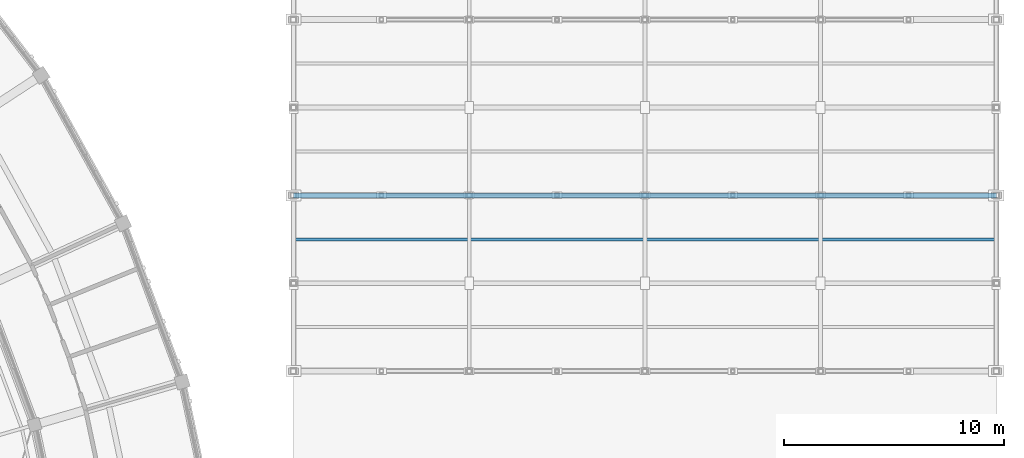
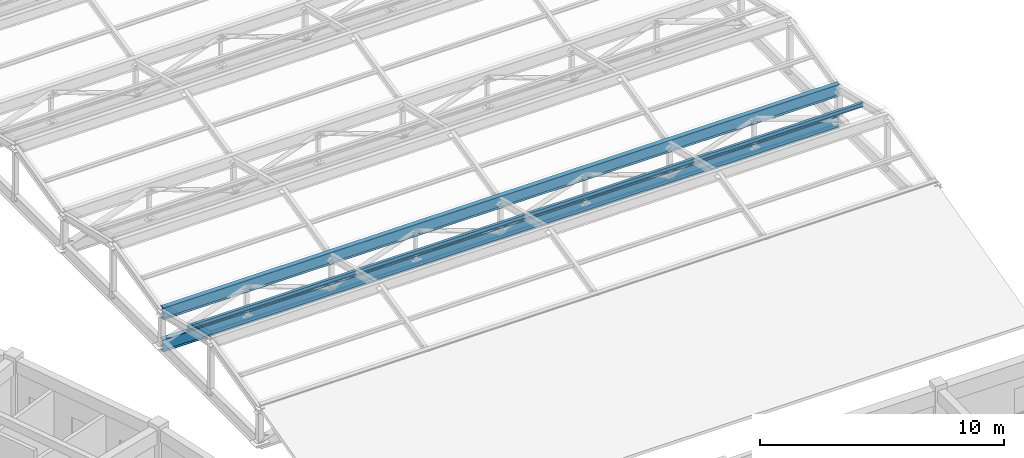
# One storey, part 43 of 112: 3 members.
"""IFC4 building model written with IfcOpenShell, lengths in metres."""

from ifc_helpers import new_model, si_unit, direction, frame, origin, origin_2d, place, context, subcontext, project, spatial, i_section, extrude, material, material_profile, profile_set, type_object, element, save


model = new_model("IFC4")

# Units and contexts
model_context = context("Model", 3, precision=1e-05, world=origin(), true_north=direction((0.0, 1.0)))
body_context = subcontext(model_context, "Body", "Model", "MODEL_VIEW")
ifc_project = project(units=[si_unit("LENGTHUNIT", "METRE"), si_unit("AREAUNIT", "SQUARE_METRE"), si_unit("VOLUMEUNIT", "CUBIC_METRE"), si_unit("PLANEANGLEUNIT", "RADIAN"), si_unit("MASSUNIT", "GRAM", prefix="KILO")], contexts=[model_context])

# Site, building, storey
site_placement = place(None, origin())
site = spatial("IfcSite", under=ifc_project, at=site_placement, CompositionType="ELEMENT")
building_placement = place(site_placement, origin())
building = spatial("IfcBuilding", under=site, at=building_placement, Name="Celadon Cloister-Ring School", CompositionType="ELEMENT")
storey_placement = place(building_placement, frame((0.0, 0.0, 8.5)))
storey = spatial("IfcBuildingStorey", under=building, at=storey_placement, Name="L02", CompositionType="ELEMENT", Elevation=8.5)

# Members
ifc_material_1 = material(Name="Structural steel S355JR", Category="steel")
ifc_material_profile_1 = material_profile(ifc_material_1, i_section(OverallWidth=0.22900390625, OverallDepth=0.612060546875, WebThickness=0.011962890625, FlangeThickness=0.01953125, at=origin_2d()), Name="W610X125")
ifc_profile_set_1 = profile_set([ifc_material_profile_1], Name="Structural steel S355JR")
member_type_1 = type_object("IfcMemberType", Name="MC-01", PredefinedType="CHORD", material=ifc_profile_set_1)
member_1_placement = place(storey_placement, frame((142.0, 82.0, 0.89990234375), z_axis=(1.0, 0.0, 0.0), x_axis=(0.0, 1.0, 0.0)))
element("IfcMember", 1, at=member_1_placement, inside=storey, type_object=member_type_1, Name="Structural Member 0414", PredefinedType="CHORD", context=body_context, shape_type="SweptSolid", body=[
    extrude(i_section(OverallWidth=0.22900390625, OverallDepth=0.612060546875, WebThickness=0.011962890625, FlangeThickness=0.01953125, at=origin_2d()), origin(), (0.0, 0.0, 1.0), 32.0),
])
ifc_material_2 = material(Name="Structural steel S355JR", Category="steel")
ifc_material_profile_2 = material_profile(ifc_material_2, i_section(OverallWidth=0.22802734375, OverallDepth=0.60302734375, WebThickness=0.010498046875, FlangeThickness=0.014892578125, at=origin_2d()), Name="W610X101")
ifc_profile_set_2 = profile_set([ifc_material_profile_2], Name="Structural steel S355JR")
member_type_2 = type_object("IfcMemberType", Name="MC-02", PredefinedType="CHORD", material=ifc_profile_set_2)
member_2_placement = place(storey_placement, frame((142.0, 82.0, 2.5), z_axis=(1.0, 0.0, 0.0), x_axis=(0.0, 1.0, 0.0)))
element("IfcMember", 2, at=member_2_placement, inside=storey, type_object=member_type_2, Name="Structural Member 0415", PredefinedType="CHORD", context=body_context, shape_type="SweptSolid", body=[
    extrude(i_section(OverallWidth=0.22802734375, OverallDepth=0.60302734375, WebThickness=0.010498046875, FlangeThickness=0.014892578125, at=origin_2d()), origin(), (0.0, 0.0, 1.0), 32.0),
])
ifc_material_3 = material(Name="Structural steel S355JR", Category="steel")
ifc_material_profile_3 = material_profile(ifc_material_3, i_section(OverallWidth=0.133056640625, OverallDepth=0.20703125, WebThickness=0.005859375, FlangeThickness=0.00830078125, at=origin_2d()), Name="W200X27")
ifc_profile_set_3 = profile_set([ifc_material_profile_3], Name="Structural steel S355JR")
member_type_3 = type_object("IfcMemberType", Name="MP-04", PredefinedType="PURLIN", material=ifc_profile_set_3)
member_3_placement = place(storey_placement, frame((142.02001953125, 80.0, 2.949951171875), z_axis=(1.0, 0.0, 0.0), x_axis=(0.0, 1.0, 0.0)))
element("IfcMember", 3, at=member_3_placement, inside=storey, type_object=member_type_3, Name="Structural Member 0521", PredefinedType="PURLIN", context=body_context, shape_type="SweptSolid", body=[
    extrude(i_section(OverallWidth=0.133056640625, OverallDepth=0.20703125, WebThickness=0.005859375, FlangeThickness=0.00830078125, at=origin_2d()), origin(), (0.0, 0.0, 1.0), 31.9599609375),
])

save(model, "model.ifc")
